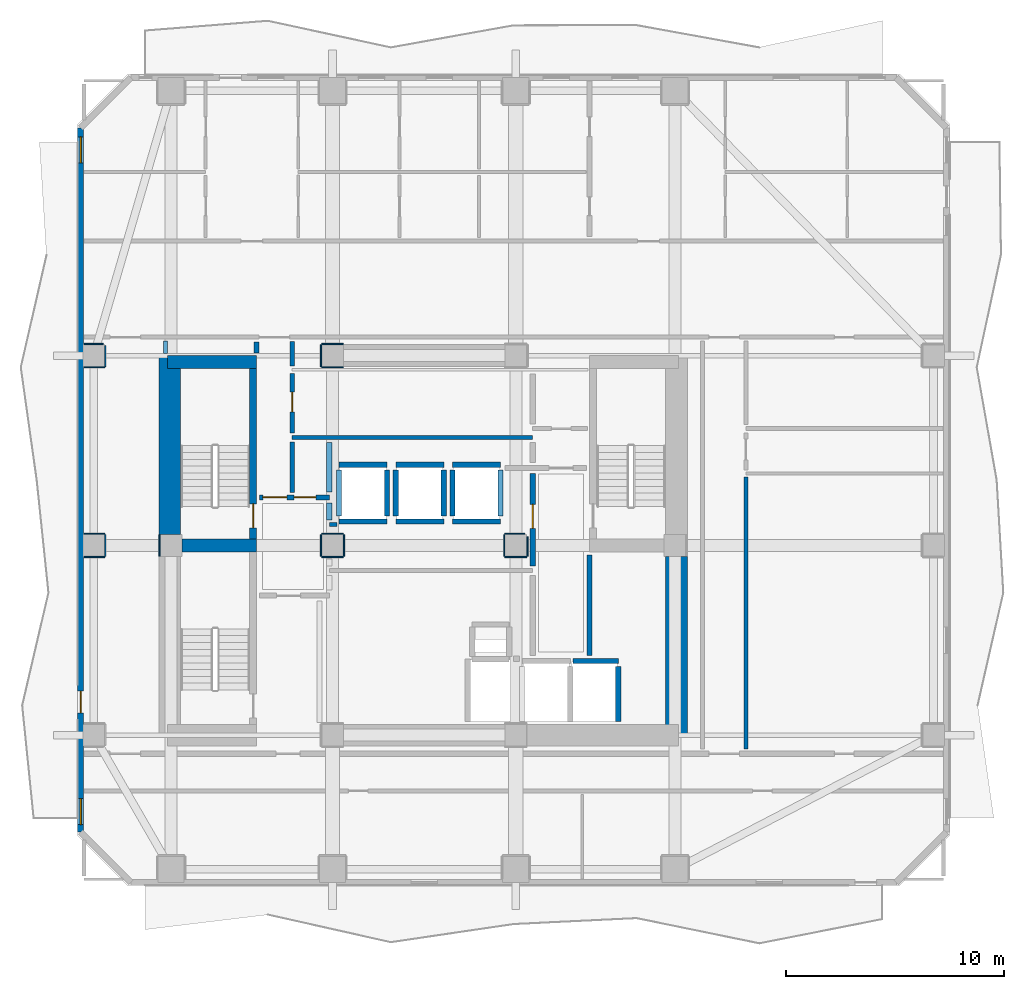
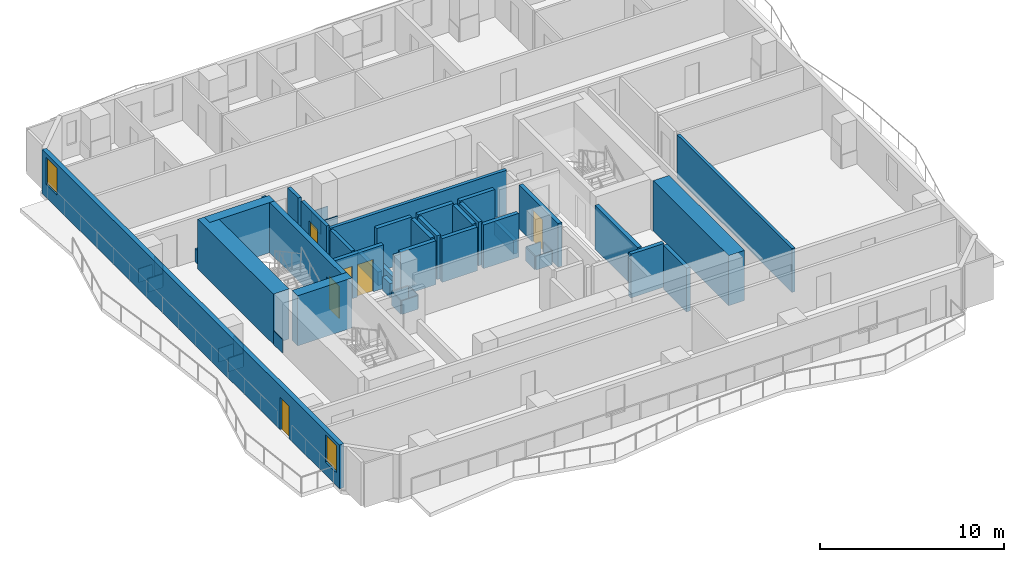
# One storey, part 3 of 9: 51 walls, 6 doors, 2 windows, 8 openings.
"""IFC4 building model written with IfcOpenShell, lengths in metres."""

from ifc_helpers import new_model, si_unit, direction, frame, frame_2d, origin, place, context, subcontext, project, spatial, rectangle, extrude, material, layer, layer_set, type_object, element, fill, save


model = new_model("IFC4")

# Units and contexts
model_context = context("Model", 3, precision=1e-05, world=origin(), true_north=direction((0.0, 1.0)))
body_context = subcontext(model_context, "Body", "Model", "MODEL_VIEW")
ifc_project = project(units=[si_unit("LENGTHUNIT", "METRE"), si_unit("AREAUNIT", "SQUARE_METRE"), si_unit("VOLUMEUNIT", "CUBIC_METRE"), si_unit("PLANEANGLEUNIT", "RADIAN"), si_unit("MASSUNIT", "GRAM", prefix="KILO")], contexts=[model_context])

# Site, building, storey
site_placement = place(None, origin())
site = spatial("IfcSite", under=ifc_project, at=site_placement, CompositionType="ELEMENT")
building_placement = place(site_placement, origin())
building = spatial("IfcBuilding", under=site, at=building_placement, Name="Solanera Arch Residences", CompositionType="ELEMENT")
storey_placement = place(building_placement, frame((0.0, 0.0, 162.52001953125)))
storey = spatial("IfcBuildingStorey", under=building, at=storey_placement, Name="L47", CompositionType="ELEMENT", Elevation=162.52001953125)

# Walls
ifc_material_1 = material(Name="Fire-Rated Gypsum Stud Partition", Category="gypsum")
ifc_layer_1 = layer(ifc_material_1, 0.06005859375)
ifc_layer_set_1 = layer_set([ifc_layer_1], Name="Fire-Rated Gypsum Stud Partition")
wall_type_1 = type_object("IfcWallType", Name="Column Acoustic Furring Wall 60", PredefinedType="PARTITIONING", material=ifc_layer_set_1)
for number, where, z_axis, x_axis, name in (
    (1, (20.300048828125, 38.867919921875, 0.0), (0.0, 0.0, 1.0), (1.0, 0.0, 0.0), "L47 Column Furring 3S"),
    (2, (20.300048828125, 39.931884765625, 0.0), (0.0, 0.0, 1.0), (1.0, 0.0, 0.0), "L47 Column Furring 3N"),
    (3, (20.26806640625, 38.89990234375, 0.0), (0.0, 0.0, 1.0), (0.0, 1.0, 0.0), "L47 Column Furring 3W"),
):
    element("IfcWall", number, at=place(storey_placement, frame(where, z_axis=z_axis, x_axis=x_axis)), inside=storey, type_object=wall_type_1, Name=name, PredefinedType="PARTITIONING", context=body_context, shape_type="SweptSolid", body=[
        extrude(rectangle(XDim=1.0, YDim=0.06005859375, at=frame_2d((0.5, 0.0))), origin(), (0.0, 0.0, 1.0), 0.905029296875),
    ])
wall_1_placement = place(storey_placement, frame((12.867919921875, 30.2099609375, 0.0), z_axis=(0.0, 0.0, 1.0), x_axis=(0.0, 1.0, 0.0)))
element("IfcWall", 4, at=wall_1_placement, inside=storey, type_object=wall_type_1, Name="L47 Column Furring 5W", PredefinedType="PARTITIONING", context=body_context, shape_type="SweptSolid", body=[
    extrude(rectangle(XDim=0.97998046875, YDim=0.06005859375, at=frame_2d((0.489990234375, 0.0))), origin(), (0.0, 0.0, 1.0), 0.905029296875),
])
for number, where, z_axis, x_axis, name in (
    (5, (20.300048828125, 30.16796875, 0.0), (0.0, 0.0, 1.0), (1.0, 0.0, 0.0), "L47 Column Furring 7S"),
    (6, (20.300048828125, 31.23193359375, 0.0), (0.0, 0.0, 1.0), (1.0, 0.0, 0.0), "L47 Column Furring 7N"),
    (7, (20.26806640625, 30.199951171875, 0.0), (0.0, 0.0, 1.0), (0.0, 1.0, 0.0), "L47 Column Furring 7W"),
    (8, (21.33203125, 30.199951171875, 0.0), (0.0, 0.0, 1.0), (0.0, 1.0, 0.0), "L47 Column Furring 7E"),
    (9, (28.699951171875, 30.16796875, 0.0), (0.0, 0.0, 1.0), (1.0, 0.0, 0.0), "L47 Column Furring 8S"),
):
    element("IfcWall", number, at=place(storey_placement, frame(where, z_axis=z_axis, x_axis=x_axis)), inside=storey, type_object=wall_type_1, Name=name, PredefinedType="PARTITIONING", context=body_context, shape_type="SweptSolid", body=[
        extrude(rectangle(XDim=1.0, YDim=0.06005859375, at=frame_2d((0.5, 0.0))), origin(), (0.0, 0.0, 1.0), 0.905029296875),
    ])
wall_2_placement = place(storey_placement, frame((28.699951171875, 31.23193359375, 0.0), z_axis=(0.0, 0.0, 1.0), x_axis=(1.0, 0.0, 0.0)))
element("IfcWall", 10, at=wall_2_placement, inside=storey, type_object=wall_type_1, Name="L47 Column Furring 8N", PredefinedType="PARTITIONING", context=body_context, shape_type="SweptSolid", body=[
    extrude(rectangle(XDim=0.903076171875, YDim=0.06005859375, at=frame_2d((0.45166015625, 0.0))), origin(), (0.0, 0.0, 1.0), 0.905029296875),
])
wall_3_placement = place(storey_placement, frame((28.66796875, 30.199951171875, 0.0), z_axis=(0.0, 0.0, 1.0), x_axis=(0.0, 1.0, 0.0)))
element("IfcWall", 11, at=wall_3_placement, inside=storey, type_object=wall_type_1, Name="L47 Column Furring 8W", PredefinedType="PARTITIONING", context=body_context, shape_type="SweptSolid", body=[
    extrude(rectangle(XDim=1.0, YDim=0.06005859375, at=frame_2d((0.5, 0.0))), origin(), (0.0, 0.0, 1.0), 0.905029296875),
])
wall_4_placement = place(storey_placement, frame((29.73193359375, 30.199951171875, 0.0), z_axis=(0.0, 0.0, 1.0), x_axis=(0.0, 1.0, 0.0)))
element("IfcWall", 12, at=wall_4_placement, inside=storey, type_object=wall_type_1, Name="L47 Column Furring 8E", PredefinedType="PARTITIONING", context=body_context, shape_type="SweptSolid", body=[
    extrude(rectangle(XDim=0.906982421875, YDim=0.06005859375, at=frame_2d((0.45361328125, 0.0))), origin(), (0.0, 0.0, 1.0), 0.905029296875),
])
for number, where, z_axis, x_axis, name in (
    (13, (9.409912109375, 30.16796875, 0.0), (0.0, 0.0, 1.0), (1.0, 0.0, 0.0), "L47 Column Furring 19S"),
    (14, (9.409912109375, 31.23193359375, 0.0), (0.0, 0.0, 1.0), (1.0, 0.0, 0.0), "L47 Column Furring 19N"),
):
    element("IfcWall", number, at=place(storey_placement, frame(where, z_axis=z_axis, x_axis=x_axis)), inside=storey, type_object=wall_type_1, Name=name, PredefinedType="PARTITIONING", context=body_context, shape_type="SweptSolid", body=[
        extrude(rectangle(XDim=0.940185546875, YDim=0.06005859375, at=frame_2d((0.47021484375, 0.0))), origin(), (0.0, 0.0, 1.0), 0.905029296875),
    ])
wall_5_placement = place(storey_placement, frame((10.382080078125, 30.199951171875, 0.0), z_axis=(0.0, 0.0, 1.0), x_axis=(0.0, 1.0, 0.0)))
element("IfcWall", 15, at=wall_5_placement, inside=storey, type_object=wall_type_1, Name="L47 Column Furring 19E", PredefinedType="PARTITIONING", context=body_context, shape_type="SweptSolid", body=[
    extrude(rectangle(XDim=1.0, YDim=0.06005859375, at=frame_2d((0.5, 0.0))), origin(), (0.0, 0.0, 1.0), 1.449951171875),
])
wall_6_placement = place(storey_placement, frame((9.409912109375, 38.867919921875, 0.0), z_axis=(0.0, 0.0, 1.0), x_axis=(1.0, 0.0, 0.0)))
element("IfcWall", 16, at=wall_6_placement, inside=storey, type_object=wall_type_1, Name="L47 Column Furring 21S", PredefinedType="PARTITIONING", context=body_context, shape_type="SweptSolid", body=[
    extrude(rectangle(XDim=0.940185546875, YDim=0.06005859375, at=frame_2d((0.47021484375, 0.0))), origin(), (0.0, 0.0, 1.0), 0.905029296875),
])
wall_7_placement = place(storey_placement, frame((9.409912109375, 39.931884765625, 0.0), z_axis=(0.0, 0.0, 1.0), x_axis=(1.0, 0.0, 0.0)))
element("IfcWall", 17, at=wall_7_placement, inside=storey, type_object=wall_type_1, Name="L47 Column Furring 21N", PredefinedType="PARTITIONING", context=body_context, shape_type="SweptSolid", body=[
    extrude(rectangle(XDim=0.87109375, YDim=0.06005859375, at=frame_2d((0.435546875, 0.0))), origin(), (0.0, 0.0, 1.0), 0.905029296875),
])
wall_8_placement = place(storey_placement, frame((10.382080078125, 38.89990234375, 0.0), z_axis=(0.0, 0.0, 1.0), x_axis=(0.0, 1.0, 0.0)))
element("IfcWall", 18, at=wall_8_placement, inside=storey, type_object=wall_type_1, Name="L47 Column Furring 21E", PredefinedType="PARTITIONING", context=body_context, shape_type="SweptSolid", body=[
    extrude(rectangle(XDim=0.9560546875, YDim=0.06005859375, at=frame_2d((0.47802734375, 0.0))), origin(), (0.0, 0.0, 1.0), 1.449951171875),
])
ifc_material_2 = material(Name="Concrete C55/67 (f'c = 60 MPa)", Category="concrete")
ifc_layer_2 = layer(ifc_material_2, 1.0)
ifc_layer_set_2 = layer_set([ifc_layer_2], Name="Concrete C55/67 (f'c = 60 MPa)")
wall_type_2 = type_object("IfcWallType", Name="Core Shear Wall CW-1000", PredefinedType="SHEAR", material=ifc_layer_set_2)
wall_9_placement = place(storey_placement, frame((13.340087890625, 31.205078125, 0.0), z_axis=(0.0, 0.0, 1.0), x_axis=(0.0, 1.0, 0.0)))
element("IfcWall", 19, at=wall_9_placement, inside=storey, type_object=wall_type_2, Name="L47 West Core North Shear Wall", PredefinedType="SHEAR", context=body_context, shape_type="SweptSolid", body=[
    extrude(rectangle(XDim=8.19482421875, YDim=1.0, at=frame_2d((4.097412109375, 0.0))), origin(), (0.0, 0.0, 1.0), 3.320068359375),
])
wall_10_placement = place(storey_placement, frame((36.56005859375, 22.0, 0.0), z_axis=(0.0, 0.0, 1.0), x_axis=(0.0, 1.0, 0.0)))
element("IfcWall", 20, at=wall_10_placement, inside=storey, type_object=wall_type_2, Name="L47 East Core South Shear Wall", PredefinedType="SHEAR", context=body_context, shape_type="SweptSolid", body=[
    extrude(rectangle(XDim=8.195068359375, YDim=1.0, at=frame_2d((4.09765625, 0.0))), origin(), (0.0, 0.0, 1.0), 3.320068359375),
])

# Wall, opening, door
ifc_material_3 = material(Name="Concrete C40/50 (f'c = 45 MPa)", Category="concrete")
ifc_layer_3 = layer(ifc_material_3, 0.320068359375)
ifc_layer_set_3 = layer_set([ifc_layer_3], Name="Concrete C40/50 (f'c = 45 MPa)")
wall_type_3 = type_object("IfcWallType", Name="Core Shear Wall CW-320", PredefinedType="SHEAR", material=ifc_layer_set_3)
wall_11_placement = place(storey_placement, frame((17.159912109375, 31.0, 0.0), z_axis=(0.0, 0.0, 1.0), x_axis=(0.0, 1.0, 0.0)))
wall_11 = element("IfcWall", 21, at=wall_11_placement, inside=storey, type_object=wall_type_3, Name="L47 Stair ST-T1 East Shear Wall", PredefinedType="SHEAR", context=body_context, shape_type="SweptSolid", body=[
    extrude(rectangle(XDim=7.800048828125, YDim=0.320068359375, at=frame_2d((3.89990234375, 0.0))), origin(), (0.0, 0.0, 1.0), 3.320068359375),
])
opening_1_placement = place(wall_11_placement, frame((0.510009765625, 0.0, 0.0)))
opening_1 = element("IfcOpeningElement", 22, at=opening_1_placement, cuts=wall_11, Name="Opening DF-01", PredefinedType="OPENING", context=body_context, shape_type="SweptSolid", body=[
    extrude(rectangle(XDim=1.10009765625, YDim=2.14990234375, at=frame_2d((0.550048828125, 1.074951171875))), frame((0.0, 0.169921875, 0.0), z_axis=(0.0, -1.0, 0.0), x_axis=(1.0, 0.0, 0.0)), (0.0, 0.0, 1.0), 0.3401),
])
ifc_material_4 = material(Name="Fire-Rated Architectural Hardwood", Category="wood")
door_type_1 = type_object("IfcDoorType", Name="Stair Exit Fire Door DF-01", OperationType="NOTDEFINED", PredefinedType="DOOR", material=ifc_material_4)
door_1_placement = place(opening_1_placement, origin())
door_1 = element("IfcDoor", 23, at=door_1_placement, inside=storey, type_object=door_type_1, Name="DR-L47-STAIR-ST-T1", OperationType="SINGLE_SWING_LEFT", OverallHeight=2.14990234375, OverallWidth=1.10009765625, PredefinedType="DOOR", context=body_context, shape_type="SweptSolid", body=[
    extrude(rectangle(XDim=1.10009765625, YDim=2.14990234375, at=frame_2d((0.550048828125, 1.074951171875))), frame((0.0, 0.02490234375, 0.0), z_axis=(0.0, -1.0, 0.0), x_axis=(1.0, 0.0, 0.0)), (0.0, 0.0, 1.0), 0.050048828125),
])
fill(opening_1, door_1)

# Walls
ifc_material_5 = material(Name="Concrete C40/50 (f'c = 45 MPa)", Category="concrete")
ifc_layer_4 = layer(ifc_material_5, 0.60009765625)
ifc_layer_set_4 = layer_set([ifc_layer_4], Name="Concrete C40/50 (f'c = 45 MPa)")
wall_type_4 = type_object("IfcWallType", Name="Core Shear Wall CW-600", PredefinedType="SHEAR", material=ifc_layer_set_4)
wall_12_placement = place(storey_placement, frame((13.239990234375, 39.10009765625, 0.0), z_axis=(0.0, 0.0, 1.0), x_axis=(1.0, 0.0, 0.0)))
element("IfcWall", 24, at=wall_12_placement, inside=storey, type_object=wall_type_4, Name="L47 North-West Core Shear Wall", PredefinedType="SHEAR", context=body_context, shape_type="SweptSolid", body=[
    extrude(rectangle(XDim=4.080078125, YDim=0.60009765625, at=frame_2d((2.0400390625, 0.0))), origin(), (0.0, 0.0, 1.0), 3.320068359375),
])
wall_13_placement = place(storey_placement, frame((13.905029296875, 30.699951171875, 0.0), z_axis=(0.0, 0.0, 1.0), x_axis=(1.0, 0.0, 0.0)))
element("IfcWall", 25, at=wall_13_placement, inside=storey, type_object=wall_type_4, Name="L47 West Stair Divider Shear Wall", PredefinedType="SHEAR", context=body_context, shape_type="SweptSolid", body=[
    extrude(rectangle(XDim=3.4150390625, YDim=0.60009765625, at=frame_2d((1.70751953125, 0.0))), origin(), (0.0, 0.0, 1.0), 3.320068359375),
])
ifc_material_6 = material(Name="Autoclaved Aerated Concrete Blockwork", Category="masonry")
ifc_layer_5 = layer(ifc_material_6, 0.179931640625)
ifc_layer_set_5 = layer_set([ifc_layer_5], Name="Autoclaved Aerated Concrete Blockwork")
wall_type_5 = type_object("IfcWallType", Name="Corridor Fire Partition 180", PredefinedType="PARTITIONING", material=ifc_layer_set_5)
wall_14_placement = place(storey_placement, frame((20.64990234375, 31.64990234375, 0.0), z_axis=(0.0, 0.0, 1.0), x_axis=(1.0, 0.0, 0.0)))
element("IfcWall", 26, at=wall_14_placement, inside=storey, type_object=wall_type_5, Name="L47 Interior Partition H9", PredefinedType="PARTITIONING", context=body_context, shape_type="SweptSolid", body=[
    extrude(rectangle(XDim=0.357177734375, YDim=0.179931640625, at=frame_2d((0.1787109375, 0.0))), origin(), (0.0, 0.0, 1.0), 2.89990234375),
])
wall_15_placement = place(storey_placement, frame((13.14990234375, 39.5, 0.0), z_axis=(0.0, 0.0, 1.0), x_axis=(0.0, 1.0, 0.0)))
element("IfcWall", 27, at=wall_15_placement, inside=storey, type_object=wall_type_5, Name="L47 Interior Partition V9", PredefinedType="PARTITIONING", context=body_context, shape_type="SweptSolid", body=[
    extrude(rectangle(XDim=0.56201171875, YDim=0.179931640625, at=frame_2d((0.281005859375, 0.0))), origin(), (0.0, 0.0, 1.0), 0.905029296875),
])
wall_16_placement = place(storey_placement, frame((39.75, 21.367919921875, 0.0), z_axis=(0.0, 0.0, 1.0), x_axis=(0.0, 1.0, 0.0)))
element("IfcWall", 28, at=wall_16_placement, inside=storey, type_object=wall_type_5, Name="L47 Interior Partition V12 1", PredefinedType="PARTITIONING", context=body_context, shape_type="SweptSolid", body=[
    extrude(rectangle(XDim=12.464111328125, YDim=0.179931640625, at=frame_2d((6.23193359375, 0.0))), origin(), (0.0, 0.0, 1.0), 2.89990234375),
])

# Wall, openings, door, windows
ifc_material_7 = material(Name="Precast Concrete C35/45", Category="concrete")
ifc_layer_6 = layer(ifc_material_7, 0.280029296875)
ifc_layer_set_6 = layer_set([ifc_layer_6], Name="Precast Concrete C35/45")
wall_type_6 = type_object("IfcWallType", Name="Exterior Wall Precast Masonry-Frame 280", PredefinedType="STANDARD", material=ifc_layer_set_6)
wall_17_placement = place(storey_placement, frame((9.2548828125, 17.554931640625, 0.0), z_axis=(0.0, 0.0, 1.0), x_axis=(0.0, 1.0, 0.0)))
wall_17 = element("IfcWall", 29, at=wall_17_placement, inside=storey, type_object=wall_type_6, Name="L47 Tower Exterior Precast Masonry-Frame Wall W", PredefinedType="STANDARD", context=body_context, shape_type="SweptSolid", body=[
    extrude(rectangle(XDim=32.2900390625, YDim=0.280029296875, at=frame_2d((16.14501953125, 0.0))), origin(), (0.0, 0.0, 1.0), 2.89990234375),
])
opening_2_placement = place(wall_17_placement, frame((5.467041015625, 0.0, 0.0)))
opening_2 = element("IfcOpeningElement", 30, at=opening_2_placement, cuts=wall_17, Name="Opening DB-01", PredefinedType="OPENING", context=body_context, shape_type="SweptSolid", body=[
    extrude(rectangle(XDim=1.0, YDim=2.14990234375, at=frame_2d((0.5, 1.074951171875))), frame((0.0, 0.14990234375, 0.0), z_axis=(0.0, -1.0, 0.0), x_axis=(1.0, 0.0, 0.0)), (0.0, 0.0, 1.0), 0.3),
])
opening_3_placement = place(wall_17_placement, frame((0.342041015625, 0.0, 0.85009765625)))
opening_3 = element("IfcOpeningElement", 31, at=opening_3_placement, cuts=wall_17, Name="Opening W-01", PredefinedType="OPENING", context=body_context, shape_type="SweptSolid", body=[
    extrude(rectangle(XDim=1.199951171875, YDim=1.800048828125, at=frame_2d((0.60009765625, 0.89990234375))), frame((0.0, 0.14990234375, 0.0), z_axis=(0.0, -1.0, 0.0), x_axis=(1.0, 0.0, 0.0)), (0.0, 0.0, 1.0), 0.3),
])
opening_4_placement = place(wall_17_placement, frame((30.677001953125, 0.0, 0.85009765625)))
opening_4 = element("IfcOpeningElement", 32, at=opening_4_placement, cuts=wall_17, Name="Opening W-01", PredefinedType="OPENING", context=body_context, shape_type="SweptSolid", body=[
    extrude(rectangle(XDim=1.199951171875, YDim=1.800048828125, at=frame_2d((0.60009765625, 0.89990234375))), frame((0.0, 0.14990234375, 0.0), z_axis=(0.0, -1.0, 0.0), x_axis=(1.0, 0.0, 0.0)), (0.0, 0.0, 1.0), 0.3),
])
ifc_material_8 = material(Name="Anodised Aluminium Alloy 6063-T6", Category="aluminium")
door_type_2 = type_object("IfcDoorType", Name="Glazed Balcony Swing Door DB-01", OperationType="NOTDEFINED", PredefinedType="DOOR", material=ifc_material_8)
door_2_placement = place(opening_2_placement, origin())
door_2 = element("IfcDoor", 33, at=door_2_placement, inside=storey, type_object=door_type_2, Name="DR-L47-OUT-04", OperationType="SINGLE_SWING_RIGHT", OverallHeight=2.14990234375, OverallWidth=1.0, PredefinedType="DOOR", context=body_context, shape_type="SweptSolid", body=[
    extrude(rectangle(XDim=1.0, YDim=2.14990234375, at=frame_2d((0.5, 1.074951171875))), frame((0.0, 0.02490234375, 0.0), z_axis=(0.0, -1.0, 0.0), x_axis=(1.0, 0.0, 0.0)), (0.0, 0.0, 1.0), 0.050048828125),
])
fill(opening_2, door_2)
ifc_material_9 = material(Name="Double Glazed Low-E Laminated Glass", Category="glass")
window_type = type_object("IfcWindowType", Name="Punched Window W-01", PartitioningType="SINGLE_PANEL", PredefinedType="WINDOW", material=ifc_material_9)
window_1_placement = place(opening_3_placement, origin())
window_1 = element("IfcWindow", 34, at=window_1_placement, inside=storey, type_object=window_type, Name="L47 AMN-LNG Punched Window", OverallHeight=1.800048828125, OverallWidth=1.199951171875, PartitioningType="SINGLE_PANEL", PredefinedType="WINDOW", context=body_context, shape_type="SweptSolid", body=[
    extrude(rectangle(XDim=1.199951171875, YDim=1.800048828125, at=frame_2d((0.60009765625, 0.89990234375))), frame((0.0, 0.030029296875, 0.0), z_axis=(0.0, -1.0, 0.0), x_axis=(1.0, 0.0, 0.0)), (0.0, 0.0, 1.0), 0.06005859375),
])
fill(opening_3, window_1)
window_2_placement = place(opening_4_placement, origin())
window_2 = element("IfcWindow", 35, at=window_2_placement, inside=storey, type_object=window_type, Name="L47 4701-BR1 Punched Window", OverallHeight=1.800048828125, OverallWidth=1.199951171875, PartitioningType="SINGLE_PANEL", PredefinedType="WINDOW", context=body_context, shape_type="SweptSolid", body=[
    extrude(rectangle(XDim=1.199951171875, YDim=1.800048828125, at=frame_2d((0.60009765625, 0.89990234375))), frame((0.0, 0.030029296875, 0.0), z_axis=(0.0, -1.0, 0.0), x_axis=(1.0, 0.0, 0.0)), (0.0, 0.0, 1.0), 0.06005859375),
])
fill(opening_4, window_2)

# Walls
ifc_material_10 = material(Name="Autoclaved Aerated Concrete Blockwork", Category="masonry")
ifc_layer_7 = layer(ifc_material_10, 0.199951171875)
ifc_layer_set_7 = layer_set([ifc_layer_7], Name="Autoclaved Aerated Concrete Blockwork")
wall_type_7 = type_object("IfcWallType", Name="Party Wall Acoustic 200", PredefinedType="PARTITIONING", material=ifc_layer_set_7)
wall_18_placement = place(storey_placement, frame((18.949951171875, 35.64990234375, 0.0), z_axis=(0.0, 0.0, 1.0), x_axis=(1.0, 0.0, 0.0)))
element("IfcWall", 36, at=wall_18_placement, inside=storey, type_object=wall_type_7, Name="L47 Interior Partition H6", PredefinedType="PARTITIONING", context=body_context, shape_type="SweptSolid", body=[
    extrude(rectangle(XDim=11.025146484375, YDim=0.199951171875, at=frame_2d((5.5126953125, 0.0))), origin(), (0.0, 0.0, 1.0), 2.89990234375),
])
wall_19_placement = place(storey_placement, frame((18.949951171875, 33.1279296875, 0.0), z_axis=(0.0, 0.0, 1.0), x_axis=(0.0, 1.0, 0.0)))
element("IfcWall", 37, at=wall_19_placement, inside=storey, type_object=wall_type_7, Name="L47 Interior Partition V7 1", PredefinedType="PARTITIONING", context=body_context, shape_type="SweptSolid", body=[
    extrude(rectangle(XDim=2.31396484375, YDim=0.199951171875, at=frame_2d((1.156982421875, 0.0))), origin(), (0.0, 0.0, 1.0), 2.89990234375),
])

# Wall, opening, door
wall_20_placement = place(storey_placement, frame((18.949951171875, 35.85791015625, 0.0), z_axis=(0.0, 0.0, 1.0), x_axis=(0.0, 1.0, 0.0)))
wall_20 = element("IfcWall", 38, at=wall_20_placement, inside=storey, type_object=wall_type_7, Name="L47 Interior Partition V7 2", PredefinedType="PARTITIONING", context=body_context, shape_type="SweptSolid", body=[
    extrude(rectangle(XDim=2.72412109375, YDim=0.199951171875, at=frame_2d((1.362060546875, 0.0))), origin(), (0.0, 0.0, 1.0), 2.89990234375),
])
opening_5_placement = place(wall_20_placement, frame((0.967041015625, 0.0, 0.0)))
opening_5 = element("IfcOpeningElement", 39, at=opening_5_placement, cuts=wall_20, Name="Opening DI-02", PredefinedType="OPENING", context=body_context, shape_type="SweptSolid", body=[
    extrude(rectangle(XDim=0.89990234375, YDim=2.10009765625, at=frame_2d((0.449951171875, 1.050048828125))), frame((0.0, 0.110107421875, 0.0), z_axis=(0.0, -1.0, 0.0), x_axis=(1.0, 0.0, 0.0)), (0.0, 0.0, 1.0), 0.22),
])
ifc_material_11 = material(Name="Fire-Rated Architectural Hardwood", Category="wood")
door_type_3 = type_object("IfcDoorType", Name="Suite Room Swing Door DI-02", OperationType="NOTDEFINED", PredefinedType="DOOR", material=ifc_material_11)
door_3_placement = place(opening_5_placement, origin())
door_3 = element("IfcDoor", 40, at=door_3_placement, inside=storey, type_object=door_type_3, Name="DR-L47-IN-016", OperationType="SINGLE_SWING_RIGHT", OverallHeight=2.10009765625, OverallWidth=0.89990234375, PredefinedType="DOOR", context=body_context, shape_type="SweptSolid", body=[
    extrude(rectangle(XDim=0.89990234375, YDim=2.10009765625, at=frame_2d((0.449951171875, 1.050048828125))), frame((0.0, 0.02490234375, 0.0), z_axis=(0.0, -1.0, 0.0), x_axis=(1.0, 0.0, 0.0)), (0.0, 0.0, 1.0), 0.050048828125),
])
fill(opening_5, door_3)

# Walls
wall_21_placement = place(storey_placement, frame((18.949951171875, 38.91796875, 0.0), z_axis=(0.0, 0.0, 1.0), x_axis=(0.0, 1.0, 0.0)))
element("IfcWall", 41, at=wall_21_placement, inside=storey, type_object=wall_type_7, Name="L47 Interior Partition V7 3", PredefinedType="PARTITIONING", context=body_context, shape_type="SweptSolid", body=[
    extrude(rectangle(XDim=1.134033203125, YDim=0.199951171875, at=frame_2d((0.56689453125, 0.0))), origin(), (0.0, 0.0, 1.0), 2.89990234375),
])
ifc_material_12 = material(Name="Autoclaved Aerated Concrete Blockwork", Category="masonry")
ifc_layer_8 = layer(ifc_material_12, 0.239990234375)
ifc_layer_set_8 = layer_set([ifc_layer_8], Name="Autoclaved Aerated Concrete Blockwork")
wall_type_8 = type_object("IfcWallType", Name="Shaft Wall Fire-Rated 240", PredefinedType="PARTITIONING", material=ifc_layer_set_8)
for number, where, z_axis, x_axis, name in (
    (42, (21.10009765625, 31.800048828125, 0.0), (0.0, 0.0, 1.0), (1.0, 0.0, 0.0), "L47 Lift PL-M1 Hoistway Wall S"),
    (43, (21.10009765625, 34.39990234375, 0.0), (0.0, 0.0, 1.0), (1.0, 0.0, 0.0), "L47 Lift PL-M1 Hoistway Wall N"),
):
    element("IfcWall", number, at=place(storey_placement, frame(where, z_axis=z_axis, x_axis=x_axis)), inside=storey, type_object=wall_type_8, Name=name, PredefinedType="PARTITIONING", context=body_context, shape_type="SweptSolid", body=[
        extrude(rectangle(XDim=2.199951171875, YDim=0.239990234375, at=frame_2d((1.10009765625, 0.0))), origin(), (0.0, 0.0, 1.0), 2.89990234375),
    ])
wall_22_placement = place(storey_placement, frame((21.10009765625, 32.048095703125, 0.0), z_axis=(0.0, 0.0, 1.0), x_axis=(0.0, 1.0, 0.0)))
element("IfcWall", 44, at=wall_22_placement, inside=storey, type_object=wall_type_8, Name="L47 Lift PL-M1 Hoistway Wall W", PredefinedType="PARTITIONING", context=body_context, shape_type="SweptSolid", body=[
    extrude(rectangle(XDim=2.10400390625, YDim=0.239990234375, at=frame_2d((1.052001953125, 0.0))), origin(), (0.0, 0.0, 1.0), 0.905029296875),
])
wall_23_placement = place(storey_placement, frame((23.300048828125, 32.048095703125, 0.0), z_axis=(0.0, 0.0, 1.0), x_axis=(0.0, 1.0, 0.0)))
element("IfcWall", 45, at=wall_23_placement, inside=storey, type_object=wall_type_8, Name="L47 Lift PL-M1 Hoistway Wall E", PredefinedType="PARTITIONING", context=body_context, shape_type="SweptSolid", body=[
    extrude(rectangle(XDim=2.10400390625, YDim=0.239990234375, at=frame_2d((1.052001953125, 0.0))), origin(), (0.0, 0.0, 1.0), 2.89990234375),
])
for number, where, z_axis, x_axis, name in (
    (46, (23.699951171875, 31.800048828125, 0.0), (0.0, 0.0, 1.0), (1.0, 0.0, 0.0), "L47 Lift PL-M2 Hoistway Wall S"),
    (47, (23.699951171875, 34.39990234375, 0.0), (0.0, 0.0, 1.0), (1.0, 0.0, 0.0), "L47 Lift PL-M2 Hoistway Wall N"),
):
    element("IfcWall", number, at=place(storey_placement, frame(where, z_axis=z_axis, x_axis=x_axis)), inside=storey, type_object=wall_type_8, Name=name, PredefinedType="PARTITIONING", context=body_context, shape_type="SweptSolid", body=[
        extrude(rectangle(XDim=2.199951171875, YDim=0.239990234375, at=frame_2d((1.10009765625, 0.0))), origin(), (0.0, 0.0, 1.0), 2.89990234375),
    ])
for number, where, z_axis, x_axis, name in (
    (48, (23.699951171875, 32.048095703125, 0.0), (0.0, 0.0, 1.0), (0.0, 1.0, 0.0), "L47 Lift PL-M2 Hoistway Wall W"),
    (49, (25.89990234375, 32.048095703125, 0.0), (0.0, 0.0, 1.0), (0.0, 1.0, 0.0), "L47 Lift PL-M2 Hoistway Wall E"),
):
    element("IfcWall", number, at=place(storey_placement, frame(where, z_axis=z_axis, x_axis=x_axis)), inside=storey, type_object=wall_type_8, Name=name, PredefinedType="PARTITIONING", context=body_context, shape_type="SweptSolid", body=[
        extrude(rectangle(XDim=2.10400390625, YDim=0.239990234375, at=frame_2d((1.052001953125, 0.0))), origin(), (0.0, 0.0, 1.0), 2.89990234375),
    ])
for number, where, z_axis, x_axis, name in (
    (50, (26.300048828125, 31.800048828125, 0.0), (0.0, 0.0, 1.0), (1.0, 0.0, 0.0), "L47 Lift PL-M3 Hoistway Wall S"),
    (51, (26.300048828125, 34.39990234375, 0.0), (0.0, 0.0, 1.0), (1.0, 0.0, 0.0), "L47 Lift PL-M3 Hoistway Wall N"),
):
    element("IfcWall", number, at=place(storey_placement, frame(where, z_axis=z_axis, x_axis=x_axis)), inside=storey, type_object=wall_type_8, Name=name, PredefinedType="PARTITIONING", context=body_context, shape_type="SweptSolid", body=[
        extrude(rectangle(XDim=2.199951171875, YDim=0.239990234375, at=frame_2d((1.10009765625, 0.0))), origin(), (0.0, 0.0, 1.0), 2.89990234375),
    ])
wall_24_placement = place(storey_placement, frame((26.300048828125, 32.048095703125, 0.0), z_axis=(0.0, 0.0, 1.0), x_axis=(0.0, 1.0, 0.0)))
element("IfcWall", 52, at=wall_24_placement, inside=storey, type_object=wall_type_8, Name="L47 Lift PL-M3 Hoistway Wall W", PredefinedType="PARTITIONING", context=body_context, shape_type="SweptSolid", body=[
    extrude(rectangle(XDim=2.10400390625, YDim=0.239990234375, at=frame_2d((1.052001953125, 0.0))), origin(), (0.0, 0.0, 1.0), 2.89990234375),
])
wall_25_placement = place(storey_placement, frame((28.5, 32.048095703125, 0.0), z_axis=(0.0, 0.0, 1.0), x_axis=(0.0, 1.0, 0.0)))
element("IfcWall", 53, at=wall_25_placement, inside=storey, type_object=wall_type_8, Name="L47 Lift PL-M3 Hoistway Wall E", PredefinedType="PARTITIONING", context=body_context, shape_type="SweptSolid", body=[
    extrude(rectangle(XDim=2.10400390625, YDim=0.239990234375, at=frame_2d((1.052001953125, 0.0))), origin(), (0.0, 0.0, 1.0), 0.905029296875),
])
wall_26_placement = place(storey_placement, frame((31.827880859375, 25.39990234375, 0.0), z_axis=(0.0, 0.0, 1.0), x_axis=(1.0, 0.0, 0.0)))
element("IfcWall", 54, at=wall_26_placement, inside=storey, type_object=wall_type_8, Name="L47 Lift FFL-2 Hoistway Wall N", PredefinedType="PARTITIONING", context=body_context, shape_type="SweptSolid", body=[
    extrude(rectangle(XDim=2.072021484375, YDim=0.239990234375, at=frame_2d((1.0361328125, 0.0))), origin(), (0.0, 0.0, 1.0), 2.89990234375),
])
wall_27_placement = place(storey_placement, frame((33.89990234375, 22.6298828125, 0.0), z_axis=(0.0, 0.0, 1.0), x_axis=(0.0, 1.0, 0.0)))
element("IfcWall", 55, at=wall_27_placement, inside=storey, type_object=wall_type_8, Name="L47 Lift FFL-2 Hoistway Wall E", PredefinedType="PARTITIONING", context=body_context, shape_type="SweptSolid", body=[
    extrude(rectangle(XDim=2.522216796875, YDim=0.239990234375, at=frame_2d((1.26123046875, 0.0))), origin(), (0.0, 0.0, 1.0), 2.89990234375),
])

# Wall, openings, doors
wall_28_placement = place(storey_placement, frame((17.449951171875, 32.89990234375, 0.0), z_axis=(0.0, 0.0, 1.0), x_axis=(1.0, 0.0, 0.0)))
wall_28 = element("IfcWall", 56, at=wall_28_placement, inside=storey, type_object=wall_type_8, Name="L47 Interior Partition H4", PredefinedType="PARTITIONING", context=body_context, shape_type="SweptSolid", body=[
    extrude(rectangle(XDim=3.199951171875, YDim=0.239990234375, at=frame_2d((1.60009765625, 0.0))), origin(), (0.0, 0.0, 1.0), 2.89990234375),
])
opening_6_placement = place(wall_28_placement, frame((0.158935546875, 0.0, 0.0)))
opening_6 = element("IfcOpeningElement", 57, at=opening_6_placement, cuts=wall_28, Name="Opening DF-02", PredefinedType="OPENING", context=body_context, shape_type="SweptSolid", body=[
    extrude(rectangle(XDim=1.10009765625, YDim=2.14990234375, at=frame_2d((0.550048828125, 1.074951171875))), frame((0.0, 0.1298828125, 0.0), z_axis=(0.0, -1.0, 0.0), x_axis=(1.0, 0.0, 0.0)), (0.0, 0.0, 1.0), 0.26),
])
opening_7_placement = place(wall_28_placement, frame((1.5859375, 0.0, 0.0)))
opening_7 = element("IfcOpeningElement", 58, at=opening_7_placement, cuts=wall_28, Name="Opening DI-01", PredefinedType="OPENING", context=body_context, shape_type="SweptSolid", body=[
    extrude(rectangle(XDim=1.0, YDim=2.14990234375, at=frame_2d((0.5, 1.074951171875))), frame((0.0, 0.1298828125, 0.0), z_axis=(0.0, -1.0, 0.0), x_axis=(1.0, 0.0, 0.0)), (0.0, 0.0, 1.0), 0.26),
])
ifc_material_13 = material(Name="Fire-Rated Architectural Hardwood", Category="wood")
door_type_4 = type_object("IfcDoorType", Name="Firefighting Lobby Fire Door DF-02", OperationType="NOTDEFINED", PredefinedType="DOOR", material=ifc_material_13)
door_4_placement = place(opening_6_placement, origin())
door_4 = element("IfcDoor", 59, at=door_4_placement, inside=storey, type_object=door_type_4, Name="DR-L47-IN-005", OperationType="SINGLE_SWING_LEFT", OverallHeight=2.14990234375, OverallWidth=1.10009765625, PredefinedType="DOOR", context=body_context, shape_type="SweptSolid", body=[
    extrude(rectangle(XDim=1.10009765625, YDim=2.14990234375, at=frame_2d((0.550048828125, 1.074951171875))), frame((0.0, 0.02490234375, 0.0), z_axis=(0.0, -1.0, 0.0), x_axis=(1.0, 0.0, 0.0)), (0.0, 0.0, 1.0), 0.050048828125),
])
fill(opening_6, door_4)
ifc_material_14 = material(Name="Fire-Rated Architectural Hardwood", Category="wood")
door_type_5 = type_object("IfcDoorType", Name="Unit Entrance Fire Door DI-01", OperationType="NOTDEFINED", PredefinedType="DOOR", material=ifc_material_14)
door_5_placement = place(opening_7_placement, origin())
door_5 = element("IfcDoor", 60, at=door_5_placement, inside=storey, type_object=door_type_5, Name="DR-L47-IN-014", OperationType="SINGLE_SWING_RIGHT", OverallHeight=2.14990234375, OverallWidth=1.0, PredefinedType="DOOR", context=body_context, shape_type="SweptSolid", body=[
    extrude(rectangle(XDim=1.0, YDim=2.14990234375, at=frame_2d((0.5, 1.074951171875))), frame((0.0, 0.02490234375, 0.0), z_axis=(0.0, -1.0, 0.0), x_axis=(1.0, 0.0, 0.0)), (0.0, 0.0, 1.0), 0.050048828125),
])
fill(opening_7, door_5)

# Walls
wall_29_placement = place(storey_placement, frame((17.320068359375, 39.530029296875, 0.0), z_axis=(0.0, 0.0, 1.0), x_axis=(0.0, 1.0, 0.0)))
element("IfcWall", 61, at=wall_29_placement, inside=storey, type_object=wall_type_8, Name="L47 Interior Partition V1", PredefinedType="PARTITIONING", context=body_context, shape_type="SweptSolid", body=[
    extrude(rectangle(XDim=0.501953125, YDim=0.239990234375, at=frame_2d((0.2509765625, 0.0))), origin(), (0.0, 0.0, 1.0), 2.89990234375),
])
wall_30_placement = place(storey_placement, frame((20.64990234375, 31.867919921875, 0.0), z_axis=(0.0, 0.0, 1.0), x_axis=(0.0, 1.0, 0.0)))
element("IfcWall", 62, at=wall_30_placement, inside=storey, type_object=wall_type_8, Name="L47 Interior Partition V3 3", PredefinedType="PARTITIONING", context=body_context, shape_type="SweptSolid", body=[
    extrude(rectangle(XDim=0.7841796875, YDim=0.239990234375, at=frame_2d((0.39208984375, 0.0))), origin(), (0.0, 0.0, 1.0), 0.905029296875),
])
wall_31_placement = place(storey_placement, frame((20.64990234375, 33.14794921875, 0.0), z_axis=(0.0, 0.0, 1.0), x_axis=(0.0, 1.0, 0.0)))
element("IfcWall", 63, at=wall_31_placement, inside=storey, type_object=wall_type_8, Name="L47 Interior Partition V3 4", PredefinedType="PARTITIONING", context=body_context, shape_type="SweptSolid", body=[
    extrude(rectangle(XDim=2.274169921875, YDim=0.239990234375, at=frame_2d((1.13720703125, 0.0))), origin(), (0.0, 0.0, 1.0), 0.905029296875),
])

# Wall, opening, door
wall_32_placement = place(storey_placement, frame((29.97509765625, 29.76806640625, 0.0), z_axis=(0.0, 0.0, 1.0), x_axis=(0.0, 1.0, 0.0)))
wall_32 = element("IfcWall", 64, at=wall_32_placement, inside=storey, type_object=wall_type_8, Name="L47 Interior Partition V4 2", PredefinedType="PARTITIONING", context=body_context, shape_type="SweptSolid", body=[
    extrude(rectangle(XDim=4.23388671875, YDim=0.239990234375, at=frame_2d((2.116943359375, 0.0))), origin(), (0.0, 0.0, 1.0), 2.89990234375),
])
opening_8_placement = place(wall_32_placement, frame((1.717041015625, 0.0, 0.0)))
opening_8 = element("IfcOpeningElement", 65, at=opening_8_placement, cuts=wall_32, Name="Opening DF-02", PredefinedType="OPENING", context=body_context, shape_type="SweptSolid", body=[
    extrude(rectangle(XDim=1.10009765625, YDim=2.14990234375, at=frame_2d((0.550048828125, 1.074951171875))), frame((0.0, 0.1298828125, 0.0), z_axis=(0.0, -1.0, 0.0), x_axis=(1.0, 0.0, 0.0)), (0.0, 0.0, 1.0), 0.26),
])
door_6_placement = place(opening_8_placement, origin())
door_6 = element("IfcDoor", 66, at=door_6_placement, inside=storey, type_object=door_type_4, Name="DR-L47-IN-006", OperationType="SINGLE_SWING_RIGHT", OverallHeight=2.14990234375, OverallWidth=1.10009765625, PredefinedType="DOOR", context=body_context, shape_type="SweptSolid", body=[
    extrude(rectangle(XDim=1.10009765625, YDim=2.14990234375, at=frame_2d((0.550048828125, 1.074951171875))), frame((0.0, 0.02490234375, 0.0), z_axis=(0.0, -1.0, 0.0), x_axis=(1.0, 0.0, 0.0)), (0.0, 0.0, 1.0), 0.050048828125),
])
fill(opening_8, door_6)

# Wall
wall_33_placement = place(storey_placement, frame((32.580078125, 25.64794921875, 0.0), z_axis=(0.0, 0.0, 1.0), x_axis=(0.0, 1.0, 0.0)))
element("IfcWall", 67, at=wall_33_placement, inside=storey, type_object=wall_type_8, Name="L47 Interior Partition V5", PredefinedType="PARTITIONING", context=body_context, shape_type="SweptSolid", body=[
    extrude(rectangle(XDim=4.6220703125, YDim=0.239990234375, at=frame_2d((2.31103515625, 0.0))), origin(), (0.0, 0.0, 1.0), 2.89990234375),
])

save(model, "model.ifc")
